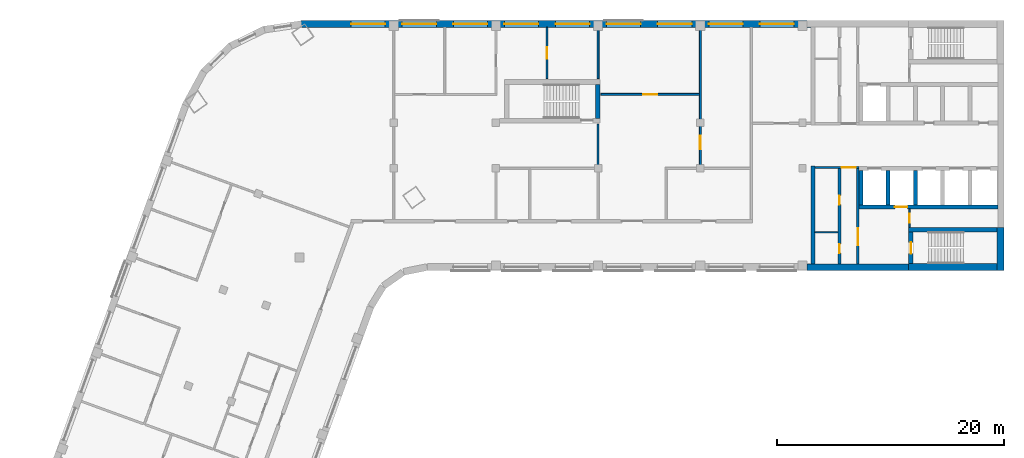
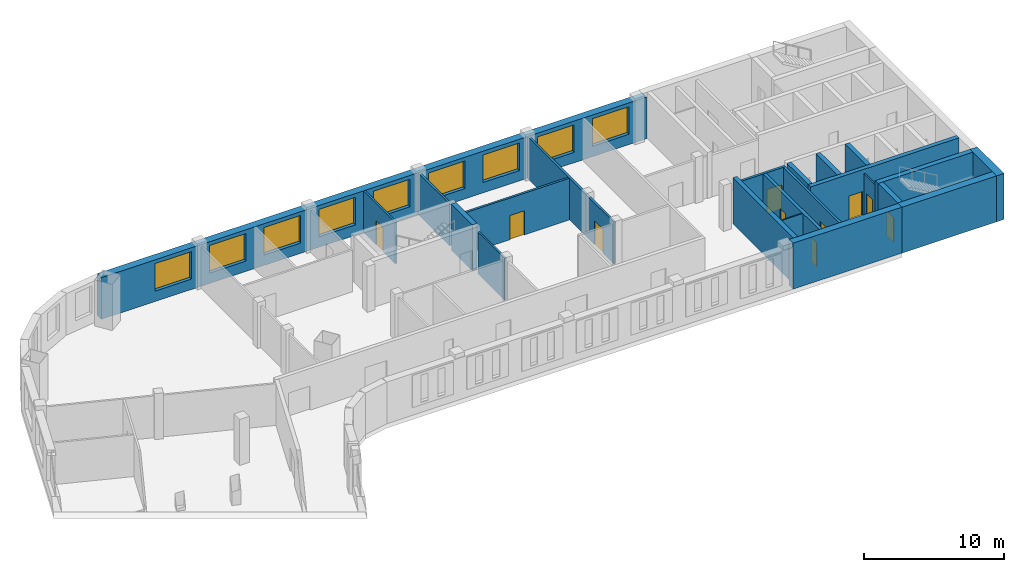
# One storey, part 5 of 8: 22 walls, 10 doors, 9 windows, 19 openings.
"""IFC4 building model written with IfcOpenShell, lengths in metres."""

from ifc_helpers import new_model, si_unit, direction, frame, frame_2d, origin, place, context, subcontext, project, spatial, rectangle, extrude, material, layer, layer_set, type_object, element, fill, save


model = new_model("IFC4")

# Units and contexts
model_context = context("Model", 3, precision=1e-05, world=origin(), true_north=direction((0.0, 1.0)))
body_context = subcontext(model_context, "Body", "Model", "MODEL_VIEW")
ifc_project = project(units=[si_unit("LENGTHUNIT", "METRE"), si_unit("AREAUNIT", "SQUARE_METRE"), si_unit("VOLUMEUNIT", "CUBIC_METRE"), si_unit("PLANEANGLEUNIT", "RADIAN"), si_unit("MASSUNIT", "GRAM", prefix="KILO")], contexts=[model_context])

# Site, building, storey
site_placement = place(None, origin())
site = spatial("IfcSite", under=ifc_project, at=site_placement, CompositionType="ELEMENT")
building_placement = place(site_placement, origin())
building = spatial("IfcBuilding", under=site, at=building_placement, Name="Skarvind Civic Tower", CompositionType="ELEMENT")
storey_placement = place(building_placement, frame((0.0, 0.0, 138.5)))
storey = spatial("IfcBuildingStorey", under=building, at=storey_placement, Name="L32", CompositionType="ELEMENT", Elevation=138.5)

# Wall
ifc_material_1 = material(Name="Acoustic gypsum board on steel studs", Category="steel")
ifc_layer_1 = layer(ifc_material_1, 0.175048828125)
ifc_layer_set_1 = layer_set([ifc_layer_1], Name="ACOUSTIC MEETING-ROOM PARTITION 175")
wall_type_1 = type_object("IfcWallType", Name="ACOUSTIC MEETING-ROOM PARTITION 175", PredefinedType="PARTITIONING", material=ifc_layer_set_1)
wall_1_placement = place(storey_placement, frame((72.25, 133.89990234375, 0.0), z_axis=(0.0, 0.0, 1.0), x_axis=(0.0, 1.0, 0.0)))
element("IfcWall", 1, at=wall_1_placement, inside=storey, type_object=wall_type_1, Name="Partition 32.034", PredefinedType="PARTITIONING", context=body_context, shape_type="SweptSolid", body=[
    extrude(rectangle(XDim=4.5, YDim=0.175048828125, at=frame_2d((2.25, 0.0))), origin(), (0.0, 0.0, 1.0), 3.625),
])

# Wall, opening, door
wall_2_placement = place(storey_placement, frame((81.25, 126.087890625, 0.0), z_axis=(0.0, 0.0, 1.0), x_axis=(0.0, 1.0, 0.0)))
wall_2 = element("IfcWall", 2, at=wall_2_placement, inside=storey, type_object=wall_type_1, Name="Partition 32.037", PredefinedType="PARTITIONING", context=body_context, shape_type="SweptSolid", body=[
    extrude(rectangle(XDim=12.31201171875, YDim=0.175048828125, at=frame_2d((6.156005859375, 0.0))), origin(), (0.0, 0.0, 1.0), 3.625),
])
opening_1_placement = place(wall_2_placement, frame((1.597412109375, 0.0, 0.0)))
opening_1 = element("IfcOpeningElement", 3, at=opening_1_placement, cuts=wall_2, Name="Opening L32-D022", PredefinedType="OPENING", context=body_context, shape_type="SweptSolid", body=[
    extrude(rectangle(XDim=1.199951171875, YDim=2.10009765625, at=frame_2d((0.60009765625, 1.050048828125))), frame((0.0, 0.097412109375, 0.0), z_axis=(0.0, -1.0, 0.0), x_axis=(1.0, 0.0, 0.0)), (0.0, 0.0, 1.0), 0.195068359375),
])
ifc_material_2 = material(Name="Timber door leaf", Category="wood")
door_type_1 = type_object("IfcDoorType", Name="DOOR 1200X2100 DOUBLE TIMBER", OperationType="NOTDEFINED", PredefinedType="DOOR", material=ifc_material_2)
door_1_placement = place(opening_1_placement, origin())
door_1 = element("IfcDoor", 4, at=door_1_placement, inside=storey, type_object=door_type_1, Name="Door L32-D022", OperationType="DOUBLE_DOOR_SINGLE_SWING", OverallHeight=2.10009765625, OverallWidth=1.199951171875, PredefinedType="DOOR", context=body_context, shape_type="SweptSolid", body=[
    extrude(rectangle(XDim=1.199951171875, YDim=2.10009765625, at=frame_2d((0.60009765625, 1.050048828125))), frame((0.0, 0.02490234375, 0.0), z_axis=(0.0, -1.0, 0.0), x_axis=(1.0, 0.0, 0.0)), (0.0, 0.0, 1.0), 0.050048828125),
])
fill(opening_1, door_1)

wall_3_placement = place(storey_placement, frame((81.162109375, 132.5, 0.0), z_axis=(0.0, 0.0, 1.0), x_axis=(-1.0, 0.0, 0.0)))
wall_3 = element("IfcWall", 5, at=wall_3_placement, inside=storey, type_object=wall_type_1, Name="Partition 32.038", PredefinedType="PARTITIONING", context=body_context, shape_type="SweptSolid", body=[
    extrude(rectangle(XDim=8.662109375, YDim=0.175048828125, at=frame_2d((4.3310546875, 0.0))), origin(), (0.0, 0.0, 1.0), 3.625),
])
opening_2_placement = place(wall_3_placement, frame((3.720947265625, 0.0, 0.0)))
opening_2 = element("IfcOpeningElement", 6, at=opening_2_placement, cuts=wall_3, Name="Opening L32-D003", PredefinedType="OPENING", context=body_context, shape_type="SweptSolid", body=[
    extrude(rectangle(XDim=1.199951171875, YDim=2.10009765625, at=frame_2d((0.60009765625, 1.050048828125))), frame((0.0, 0.097412109375, 0.0), z_axis=(0.0, -1.0, 0.0), x_axis=(1.0, 0.0, 0.0)), (0.0, 0.0, 1.0), 0.195068359375),
])
door_2_placement = place(opening_2_placement, origin())
door_2 = element("IfcDoor", 7, at=door_2_placement, inside=storey, type_object=door_type_1, Name="Door L32-D003", OperationType="DOUBLE_DOOR_SINGLE_SWING", OverallHeight=2.10009765625, OverallWidth=1.199951171875, PredefinedType="DOOR", context=body_context, shape_type="SweptSolid", body=[
    extrude(rectangle(XDim=1.199951171875, YDim=2.10009765625, at=frame_2d((0.60009765625, 1.050048828125))), frame((0.0, 0.02490234375, 0.0), z_axis=(0.0, -1.0, 0.0), x_axis=(1.0, 0.0, 0.0)), (0.0, 0.0, 1.0), 0.050048828125),
])
fill(opening_2, door_2)

ifc_material_3 = material(Name="Fire-rated masonry partition", Category="masonry")
ifc_layer_2 = layer(ifc_material_3, 0.199951171875)
ifc_layer_set_2 = layer_set([ifc_layer_2], Name="Core enclosure wall 200")
wall_type_2 = type_object("IfcWallType", Name="Core enclosure wall 200", PredefinedType="PARTITIONING", material=ifc_layer_set_2)
wall_4_placement = place(storey_placement, frame((95.22509765625, 126.074951171875, 0.0), z_axis=(0.0, 0.0, 1.0), x_axis=(-1.0, 0.0, 0.0)))
wall_4 = element("IfcWall", 8, at=wall_4_placement, inside=storey, type_object=wall_type_2, Name="Core wall C1", PredefinedType="PARTITIONING", context=body_context, shape_type="SweptSolid", body=[
    extrude(rectangle(XDim=3.875, YDim=0.199951171875, at=frame_2d((1.9375, 0.0))), origin(), (0.0, 0.0, 1.0), 3.625),
])
opening_3_placement = place(wall_4_placement, frame((0.300048828125, 0.0, 0.0)))
opening_3 = element("IfcOpeningElement", 9, at=opening_3_placement, cuts=wall_4, Name="Opening D-L32-C1-07", PredefinedType="OPENING", context=body_context, shape_type="SweptSolid", body=[
    extrude(rectangle(XDim=1.199951171875, YDim=2.10009765625, at=frame_2d((0.60009765625, 1.050048828125))), frame((0.0, 0.10986328125, 0.0), z_axis=(0.0, -1.0, 0.0), x_axis=(1.0, 0.0, 0.0)), (0.0, 0.0, 1.0), 0.219970703125),
])
ifc_material_4 = material(Name="Fire-rated steel door", Category="steel")
door_type_2 = type_object("IfcDoorType", Name="Core lobby door 1200", OperationType="NOTDEFINED", PredefinedType="DOOR", material=ifc_material_4)
door_3_placement = place(opening_3_placement, origin())
door_3 = element("IfcDoor", 10, at=door_3_placement, inside=storey, type_object=door_type_2, Name="Fire door", OperationType="DOUBLE_DOOR_SINGLE_SWING", OverallHeight=2.10009765625, OverallWidth=1.199951171875, PredefinedType="DOOR", context=body_context, shape_type="SweptSolid", body=[
    extrude(rectangle(XDim=1.199951171875, YDim=2.10009765625, at=frame_2d((0.60009765625, 1.050048828125))), frame((0.0, 0.02490234375, 0.0), z_axis=(0.0, -1.0, 0.0), x_axis=(1.0, 0.0, 0.0)), (0.0, 0.0, 1.0), 0.050048828125),
])
fill(opening_3, door_3)

wall_5_placement = place(storey_placement, frame((95.125, 117.550048828125, 0.0), z_axis=(0.0, 0.0, 1.0), x_axis=(0.0, 1.0, 0.0)))
wall_5 = element("IfcWall", 11, at=wall_5_placement, inside=storey, type_object=wall_type_2, Name="Core wall C1", PredefinedType="PARTITIONING", context=body_context, shape_type="SweptSolid", body=[
    extrude(rectangle(XDim=8.425048828125, YDim=0.199951171875, at=frame_2d((4.21240234375, 0.0))), origin(), (0.0, 0.0, 1.0), 3.625),
])
opening_4_placement = place(wall_5_placement, frame((1.6875, 0.0, 0.0)))
opening_4 = element("IfcOpeningElement", 12, at=opening_4_placement, cuts=wall_5, Name="Opening D-L32-C1-08", PredefinedType="OPENING", context=body_context, shape_type="SweptSolid", body=[
    extrude(rectangle(XDim=1.5, YDim=2.10009765625, at=frame_2d((0.75, 1.050048828125))), frame((0.0, 0.10986328125, 0.0), z_axis=(0.0, -1.0, 0.0), x_axis=(1.0, 0.0, 0.0)), (0.0, 0.0, 1.0), 0.219970703125),
])
door_type_3 = type_object("IfcDoorType", Name="Fire door 1500", OperationType="NOTDEFINED", PredefinedType="DOOR", material=ifc_material_4)
door_4_placement = place(opening_4_placement, origin())
door_4 = element("IfcDoor", 13, at=door_4_placement, inside=storey, type_object=door_type_3, Name="Fire door", OperationType="DOUBLE_DOOR_SINGLE_SWING", OverallHeight=2.10009765625, OverallWidth=1.5, PredefinedType="DOOR", context=body_context, shape_type="SweptSolid", body=[
    extrude(rectangle(XDim=1.5, YDim=2.10009765625, at=frame_2d((0.75, 1.050048828125))), frame((0.0, 0.02490234375, 0.0), z_axis=(0.0, -1.0, 0.0), x_axis=(1.0, 0.0, 0.0)), (0.0, 0.0, 1.0), 0.050048828125),
])
fill(opening_4, door_4)

# Wall
ifc_material_5 = material(Name="Fire-rated plasterboard partition")
ifc_layer_3 = layer(ifc_material_5, 0.10009765625)
ifc_layer_set_3 = layer_set([ifc_layer_3], Name="Core partition wall 100")
wall_type_3 = type_object("IfcWallType", Name="Core partition wall 100", PredefinedType="PARTITIONING", material=ifc_layer_set_3)
wall_6_placement = place(storey_placement, frame((93.375, 120.360107421875, 0.0), z_axis=(0.0, 0.0, 1.0), x_axis=(-1.0, 0.0, 0.0)))
element("IfcWall", 14, at=wall_6_placement, inside=storey, type_object=wall_type_3, Name="Core wall C1", PredefinedType="PARTITIONING", context=body_context, shape_type="SweptSolid", body=[
    extrude(rectangle(XDim=2.02490234375, YDim=0.10009765625, at=frame_2d((1.012451171875, 0.0))), origin(), (0.0, 0.0, 1.0), 3.625),
])

# Wall, opening, door
ifc_material_6 = material(Name="Concrete C60", Category="concrete")
ifc_layer_4 = layer(ifc_material_6, 0.35009765625)
ifc_layer_set_4 = layer_set([ifc_layer_4], Name="Core wall 350 C60")
wall_type_4 = type_object("IfcWallType", Name="Core wall 350 C60", PredefinedType="SHEAR", material=ifc_layer_set_4)
wall_7_placement = place(storey_placement, frame((107.449951171875, 122.60009765625, 0.0), z_axis=(0.0, 0.0, 1.0), x_axis=(-1.0, 0.0, 0.0)))
wall_7 = element("IfcWall", 15, at=wall_7_placement, inside=storey, type_object=wall_type_4, Name="Core wall C1 north lift row back L32", PredefinedType="SHEAR", context=body_context, shape_type="SweptSolid", body=[
    extrude(rectangle(XDim=12.224853515625, YDim=0.35009765625, at=frame_2d((6.1123046875, 0.0))), origin(), (0.0, 0.0, 1.0), 4.0),
])
opening_5_placement = place(wall_7_placement, frame((7.949951171875, 0.0, 0.0)))
opening_5 = element("IfcOpeningElement", 16, at=opening_5_placement, cuts=wall_7, Name="Opening LD34104", PredefinedType="OPENING", context=body_context, shape_type="SweptSolid", body=[
    extrude(rectangle(XDim=1.10009765625, YDim=2.10009765625, at=frame_2d((0.550048828125, 1.050048828125))), frame((0.0, 0.18505859375, 0.0), z_axis=(0.0, -1.0, 0.0), x_axis=(1.0, 0.0, 0.0)), (0.0, 0.0, 1.0), 0.3701171875),
])
ifc_material_7 = material(Name="Stainless steel landing door", Category="steel")
door_type_4 = type_object("IfcDoorType", Name="Lift landing door 1100", OperationType="DOUBLE_DOOR_SLIDING", PredefinedType="DOOR", material=ifc_material_7)
door_5_placement = place(opening_5_placement, origin())
door_5 = element("IfcDoor", 17, at=door_5_placement, inside=storey, type_object=door_type_4, Name="Lift landing door", OperationType="DOUBLE_DOOR_SLIDING", OverallHeight=2.10009765625, OverallWidth=1.10009765625, PredefinedType="DOOR", context=body_context, shape_type="SweptSolid", body=[
    extrude(rectangle(XDim=1.10009765625, YDim=2.10009765625, at=frame_2d((0.550048828125, 1.050048828125))), frame((0.0, 0.02490234375, 0.0), z_axis=(0.0, -1.0, 0.0), x_axis=(1.0, 0.0, 0.0)), (0.0, 0.0, 1.0), 0.050048828125),
])
fill(opening_5, door_5)

# Walls
for number, where, z_axis, x_axis, name in (
    (18, (100.199951171875, 125.824951171875, 0.0), (0.0, 0.0, 1.0), (0.0, -1.0, 0.0), "Core wall C1 north lift row division 3 L32"),
    (19, (97.800048828125, 125.824951171875, 0.0), (0.0, 0.0, 1.0), (0.0, -1.0, 0.0), "Core wall C1 north lift row division 4 L32"),
    (20, (95.39990234375, 125.824951171875, 0.0), (0.0, 0.0, 1.0), (0.0, -1.0, 0.0), "Core wall C1 north lift row division 5 L32"),
):
    element("IfcWall", number, at=place(storey_placement, frame(where, z_axis=z_axis, x_axis=x_axis)), inside=storey, type_object=wall_type_4, Name=name, PredefinedType="SHEAR", context=body_context, shape_type="SweptSolid", body=[
        extrude(rectangle(XDim=3.050048828125, YDim=0.35009765625, at=frame_2d((1.52490234375, 0.0))), origin(), (0.0, 0.0, 1.0), 4.0),
    ])
wall_8_placement = place(storey_placement, frame((91.175048828125, 126.199951171875, 0.0), z_axis=(0.0, 0.0, 1.0), x_axis=(0.0, -1.0, 0.0)))
element("IfcWall", 21, at=wall_8_placement, inside=storey, type_object=wall_type_4, Name="Core wall C1 north inner face L32", PredefinedType="SHEAR", context=body_context, shape_type="SweptSolid", body=[
    extrude(rectangle(XDim=8.64990234375, YDim=0.35009765625, at=frame_2d((4.324951171875, 0.0))), origin(), (0.0, 0.0, 1.0), 4.0),
])
ifc_layer_5 = layer(ifc_material_6, 0.39990234375)
ifc_layer_set_5 = layer_set([ifc_layer_5], Name="Core wall 400 C60")
wall_type_5 = type_object("IfcWallType", Name="Core wall 400 C60", PredefinedType="SHEAR", material=ifc_layer_set_5)
wall_9_placement = place(storey_placement, frame((107.39990234375, 120.60009765625, 0.0), z_axis=(0.0, 0.0, 1.0), x_axis=(-1.0, 0.0, 0.0)))
element("IfcWall", 22, at=wall_9_placement, inside=storey, type_object=wall_type_5, Name="Core wall C1 north stair inner L32", PredefinedType="SHEAR", context=body_context, shape_type="SweptSolid", body=[
    extrude(rectangle(XDim=7.7998046875, YDim=0.39990234375, at=frame_2d((3.89990234375, 0.0))), origin(), (0.0, 0.0, 1.0), 4.0),
])

# Wall, opening, door
wall_10_placement = place(storey_placement, frame((99.800048828125, 120.39990234375, 0.0), z_axis=(0.0, 0.0, 1.0), x_axis=(0.0, -1.0, 0.0)))
wall_10 = element("IfcWall", 23, at=wall_10_placement, inside=storey, type_object=wall_type_5, Name="Core wall C1 north stair end L32", PredefinedType="SHEAR", context=body_context, shape_type="SweptSolid", body=[
    extrude(rectangle(XDim=2.7998046875, YDim=0.39990234375, at=frame_2d((1.39990234375, 0.0))), origin(), (0.0, 0.0, 1.0), 4.0),
])
opening_6_placement = place(wall_10_placement, frame((0.925048828125, 0.0, 0.0)))
opening_6 = element("IfcOpeningElement", 24, at=opening_6_placement, cuts=wall_10, Name="Opening D-L32-C1-09", PredefinedType="OPENING", context=body_context, shape_type="SweptSolid", body=[
    extrude(rectangle(XDim=1.0, YDim=2.10009765625, at=frame_2d((0.5, 1.050048828125))), frame((0.0, 0.2099609375, 0.0), z_axis=(0.0, -1.0, 0.0), x_axis=(1.0, 0.0, 0.0)), (0.0, 0.0, 1.0), 0.419921875),
])
door_type_5 = type_object("IfcDoorType", Name="Fire door 1000", OperationType="NOTDEFINED", PredefinedType="DOOR", material=ifc_material_4)
door_6_placement = place(opening_6_placement, origin())
door_6 = element("IfcDoor", 25, at=door_6_placement, inside=storey, type_object=door_type_5, Name="Fire door", OperationType="SINGLE_SWING_LEFT", OverallHeight=2.10009765625, OverallWidth=1.0, PredefinedType="DOOR", context=body_context, shape_type="SweptSolid", body=[
    extrude(rectangle(XDim=1.0, YDim=2.10009765625, at=frame_2d((0.5, 1.050048828125))), frame((0.0, 0.02490234375, 0.0), z_axis=(0.0, -1.0, 0.0), x_axis=(1.0, 0.0, 0.0)), (0.0, 0.0, 1.0), 0.050048828125),
])
fill(opening_6, door_6)

# Walls
wall_11_placement = place(storey_placement, frame((72.199951171875, 130.39990234375, 0.0), z_axis=(0.0, 0.0, 1.0), x_axis=(0.0, 1.0, 0.0)))
element("IfcWall", 26, at=wall_11_placement, inside=storey, type_object=wall_type_5, Name="Core wall CM end L32", PredefinedType="SHEAR", context=body_context, shape_type="SweptSolid", body=[
    extrude(rectangle(XDim=3.0, YDim=0.39990234375, at=frame_2d((1.5, 0.0))), origin(), (0.0, 0.0, 1.0), 4.0),
])
ifc_layer_6 = layer(ifc_material_6, 0.550048828125)
ifc_layer_set_6 = layer_set([ifc_layer_6], Name="Core wall 550 C60")
wall_type_6 = type_object("IfcWallType", Name="Core wall 550 C60", PredefinedType="SHEAR", material=ifc_layer_set_6)
wall_12_placement = place(storey_placement, frame((99.60009765625, 117.27490234375, 0.0), z_axis=(0.0, 0.0, 1.0), x_axis=(-1.0, 0.0, 0.0)))
element("IfcWall", 27, at=wall_12_placement, inside=storey, type_object=wall_type_6, Name="Core wall C1 north side L32", PredefinedType="SHEAR", context=body_context, shape_type="SweptSolid", body=[
    extrude(rectangle(XDim=8.9501953125, YDim=0.550048828125, at=frame_2d((4.47509765625, 0.0))), origin(), (0.0, 0.0, 1.0), 4.0),
])
ifc_layer_7 = layer(ifc_material_6, 0.60009765625)
ifc_layer_set_7 = layer_set([ifc_layer_7], Name="Core wall 600 C60")
wall_type_7 = type_object("IfcWallType", Name="Core wall 600 C60", PredefinedType="SHEAR", material=ifc_layer_set_7)
wall_13_placement = place(storey_placement, frame((107.699951171875, 120.800048828125, 0.0), z_axis=(0.0, 0.0, 1.0), x_axis=(0.0, -1.0, 0.0)))
element("IfcWall", 28, at=wall_13_placement, inside=storey, type_object=wall_type_7, Name="Core wall C1 tip at the north stair L32", PredefinedType="SHEAR", context=body_context, shape_type="SweptSolid", body=[
    extrude(rectangle(XDim=3.800048828125, YDim=0.60009765625, at=frame_2d((1.89990234375, 0.0))), origin(), (0.0, 0.0, 1.0), 4.0),
])
wall_14_placement = place(storey_placement, frame((107.39990234375, 117.300048828125, 0.0), z_axis=(0.0, 0.0, 1.0), x_axis=(-1.0, 0.0, 0.0)))
element("IfcWall", 29, at=wall_14_placement, inside=storey, type_object=wall_type_7, Name="Core wall C1 north side at the stair L32", PredefinedType="SHEAR", context=body_context, shape_type="SweptSolid", body=[
    extrude(rectangle(XDim=7.7998046875, YDim=0.60009765625, at=frame_2d((3.89990234375, 0.0))), origin(), (0.0, 0.0, 1.0), 4.0),
])

# Wall, opening, door
ifc_material_8 = material(Name="Plasterboard partition on steel studs", Category="steel")
ifc_layer_8 = layer(ifc_material_8, 0.14990234375)
ifc_layer_set_8 = layer_set([ifc_layer_8], Name="PARTITION 150")
wall_type_8 = type_object("IfcWallType", Name="PARTITION 150", PredefinedType="PARTITIONING", material=ifc_layer_set_8)
wall_15_placement = place(storey_placement, frame((67.75, 133.89990234375, 0.0), z_axis=(0.0, 0.0, 1.0), x_axis=(0.0, 1.0, 0.0)))
wall_15 = element("IfcWall", 30, at=wall_15_placement, inside=storey, type_object=wall_type_8, Name="Partition 32.031", PredefinedType="PARTITIONING", context=body_context, shape_type="SweptSolid", body=[
    extrude(rectangle(XDim=4.5, YDim=0.14990234375, at=frame_2d((2.25, 0.0))), origin(), (0.0, 0.0, 1.0), 3.625),
])
opening_7_placement = place(wall_15_placement, frame((1.75, 0.0, 0.0)))
opening_7 = element("IfcOpeningElement", 31, at=opening_7_placement, cuts=wall_15, Name="Opening L32-D007", PredefinedType="OPENING", context=body_context, shape_type="SweptSolid", body=[
    extrude(rectangle(XDim=1.0, YDim=2.10009765625, at=frame_2d((0.5, 1.050048828125))), frame((0.0, 0.0849609375, 0.0), z_axis=(0.0, -1.0, 0.0), x_axis=(1.0, 0.0, 0.0)), (0.0, 0.0, 1.0), 0.169921875),
])
door_type_6 = type_object("IfcDoorType", Name="D1 1000x2100", OperationType="NOTDEFINED", PredefinedType="DOOR", material=ifc_material_2)
door_7_placement = place(opening_7_placement, origin())
door_7 = element("IfcDoor", 32, at=door_7_placement, inside=storey, type_object=door_type_6, Name="Door L32-D007", OperationType="SINGLE_SWING_LEFT", OverallHeight=2.10009765625, OverallWidth=1.0, PredefinedType="DOOR", context=body_context, shape_type="SweptSolid", body=[
    extrude(rectangle(XDim=1.0, YDim=2.10009765625, at=frame_2d((0.5, 1.050048828125))), frame((0.0, 0.02490234375, 0.0), z_axis=(0.0, -1.0, 0.0), x_axis=(1.0, 0.0, 0.0)), (0.0, 0.0, 1.0), 0.050048828125),
])
fill(opening_7, door_7)

# Wall
wall_16_placement = place(storey_placement, frame((72.25, 126.083984375, 0.0), z_axis=(0.0, 0.0, 1.0), x_axis=(0.0, 1.0, 0.0)))
element("IfcWall", 33, at=wall_16_placement, inside=storey, type_object=wall_type_8, Name="Partition 32.033", PredefinedType="PARTITIONING", context=body_context, shape_type="SweptSolid", body=[
    extrude(rectangle(XDim=3.81591796875, YDim=0.14990234375, at=frame_2d((1.907958984375, 0.0))), origin(), (0.0, 0.0, 1.0), 3.625),
])

# Wall, opening, door
ifc_layer_9 = layer(ifc_material_3, 0.125)
ifc_layer_set_9 = layer_set([ifc_layer_9], Name="Riser wall 125")
wall_type_9 = type_object("IfcWallType", Name="Riser wall 125", PredefinedType="PARTITIONING", material=ifc_layer_set_9)
wall_17_placement = place(storey_placement, frame((99.66259765625, 120.800048828125, 0.0), z_axis=(0.0, 0.0, 1.0), x_axis=(0.0, 1.0, 0.0)))
wall_17 = element("IfcWall", 34, at=wall_17_placement, inside=storey, type_object=wall_type_9, Name="Core wall C1", PredefinedType="PARTITIONING", context=body_context, shape_type="SweptSolid", body=[
    extrude(rectangle(XDim=1.625, YDim=0.125, at=frame_2d((0.8125, 0.0))), origin(), (0.0, 0.0, 1.0), 3.625),
])
opening_8_placement = place(wall_17_placement, frame((0.41259765625, 0.0, 0.0)))
opening_8 = element("IfcOpeningElement", 35, at=opening_8_placement, cuts=wall_17, Name="Opening D-L32-C1-10", PredefinedType="OPENING", context=body_context, shape_type="SweptSolid", body=[
    extrude(rectangle(XDim=0.800048828125, YDim=2.10009765625, at=frame_2d((0.39990234375, 1.050048828125))), frame((0.0, 0.072509765625, 0.0), z_axis=(0.0, -1.0, 0.0), x_axis=(1.0, 0.0, 0.0)), (0.0, 0.0, 1.0), 0.14501953125),
])
door_type_7 = type_object("IfcDoorType", Name="Core riser door 800", OperationType="NOTDEFINED", PredefinedType="DOOR", material=ifc_material_4)
door_8_placement = place(opening_8_placement, origin())
door_8 = element("IfcDoor", 36, at=door_8_placement, inside=storey, type_object=door_type_7, Name="Riser door", OperationType="SINGLE_SWING_RIGHT", OverallHeight=2.10009765625, OverallWidth=0.800048828125, PredefinedType="DOOR", context=body_context, shape_type="SweptSolid", body=[
    extrude(rectangle(XDim=0.800048828125, YDim=2.10009765625, at=frame_2d((0.39990234375, 1.050048828125))), frame((0.0, 0.02490234375, 0.0), z_axis=(0.0, -1.0, 0.0), x_axis=(1.0, 0.0, 0.0)), (0.0, 0.0, 1.0), 0.050048828125),
])
fill(opening_8, door_8)

# Wall, openings, doors
ifc_layer_10 = layer(ifc_material_3, 0.25)
ifc_layer_set_10 = layer_set([ifc_layer_10], Name="Service block wall 250")
wall_type_10 = type_object("IfcWallType", Name="Service block wall 250", PredefinedType="PARTITIONING", material=ifc_layer_set_10)
wall_18_placement = place(storey_placement, frame((93.5, 117.550048828125, 0.0), z_axis=(0.0, 0.0, 1.0), x_axis=(0.0, 1.0, 0.0)))
wall_18 = element("IfcWall", 37, at=wall_18_placement, inside=storey, type_object=wall_type_10, Name="Core wall C1", PredefinedType="PARTITIONING", context=body_context, shape_type="SweptSolid", body=[
    extrude(rectangle(XDim=8.425048828125, YDim=0.25, at=frame_2d((4.21240234375, 0.0))), origin(), (0.0, 0.0, 1.0), 3.625),
])
opening_9_placement = place(wall_18_placement, frame((5.242431640625, 0.0, 0.0)))
opening_9 = element("IfcOpeningElement", 38, at=opening_9_placement, cuts=wall_18, Name="Opening D-L32-C1-11", PredefinedType="OPENING", context=body_context, shape_type="SweptSolid", body=[
    extrude(rectangle(XDim=0.800048828125, YDim=2.10009765625, at=frame_2d((0.39990234375, 1.050048828125))), frame((0.0, 0.135009765625, 0.0), z_axis=(0.0, -1.0, 0.0), x_axis=(1.0, 0.0, 0.0)), (0.0, 0.0, 1.0), 0.27001953125),
])
opening_10_placement = place(wall_18_placement, frame((0.97998046875, 0.0, 0.0)))
opening_10 = element("IfcOpeningElement", 39, at=opening_10_placement, cuts=wall_18, Name="Opening D-L32-C1-12", PredefinedType="OPENING", context=body_context, shape_type="SweptSolid", body=[
    extrude(rectangle(XDim=0.800048828125, YDim=2.10009765625, at=frame_2d((0.39990234375, 1.050048828125))), frame((0.0, 0.135009765625, 0.0), z_axis=(0.0, -1.0, 0.0), x_axis=(1.0, 0.0, 0.0)), (0.0, 0.0, 1.0), 0.27001953125),
])
door_9_placement = place(opening_9_placement, origin())
door_9 = element("IfcDoor", 40, at=door_9_placement, inside=storey, type_object=door_type_7, Name="Riser door", OperationType="SINGLE_SWING_LEFT", OverallHeight=2.10009765625, OverallWidth=0.800048828125, PredefinedType="DOOR", context=body_context, shape_type="SweptSolid", body=[
    extrude(rectangle(XDim=0.800048828125, YDim=2.10009765625, at=frame_2d((0.39990234375, 1.050048828125))), frame((0.0, 0.02490234375, 0.0), z_axis=(0.0, -1.0, 0.0), x_axis=(1.0, 0.0, 0.0)), (0.0, 0.0, 1.0), 0.050048828125),
])
fill(opening_9, door_9)
door_10_placement = place(opening_10_placement, origin())
door_10 = element("IfcDoor", 41, at=door_10_placement, inside=storey, type_object=door_type_7, Name="Riser door", OperationType="SINGLE_SWING_RIGHT", OverallHeight=2.10009765625, OverallWidth=0.800048828125, PredefinedType="DOOR", context=body_context, shape_type="SweptSolid", body=[
    extrude(rectangle(XDim=0.800048828125, YDim=2.10009765625, at=frame_2d((0.39990234375, 1.050048828125))), frame((0.0, 0.02490234375, 0.0), z_axis=(0.0, -1.0, 0.0), x_axis=(1.0, 0.0, 0.0)), (0.0, 0.0, 1.0), 0.050048828125),
])
fill(opening_10, door_10)

# Wall, openings, windows
ifc_material_9 = material(Name="Limestone masonry cladding on insulated backing", Category="masonry")
ifc_layer_11 = layer(ifc_material_9, 0.60009765625)
ifc_layer_set_11 = layer_set([ifc_layer_11], Name="WX1 STONE FACADE WALL 600")
wall_type_11 = type_object("IfcWallType", Name="WX1 STONE FACADE WALL 600", PredefinedType="SOLIDWALL", material=ifc_layer_set_11)
wall_19_placement = place(storey_placement, frame((46.095458984375, 138.699951171875, 0.0), z_axis=(0.0, 0.0, 1.0), x_axis=(1.0, 0.0, 0.0)))
wall_19 = element("IfcWall", 42, at=wall_19_placement, inside=storey, type_object=wall_type_11, Name="STONE FACADE WALL", PredefinedType="SOLIDWALL", context=body_context, shape_type="SweptSolid", body=[
    extrude(rectangle(XDim=44.884521484375, YDim=0.60009765625, at=frame_2d((22.4423828125, 0.0))), origin(), (0.0, 0.0, 1.0), 3.625),
])
opening_11_placement = place(wall_19_placement, frame((4.404541015625, 0.0, 0.89990234375)))
opening_11 = element("IfcOpeningElement", 43, at=opening_11_placement, cuts=wall_19, Name="Opening WN1", PredefinedType="OPENING", context=body_context, shape_type="SweptSolid", body=[
    extrude(rectangle(XDim=3.0, YDim=2.39990234375, at=frame_2d((1.5, 1.199951171875))), frame((0.0, 0.31005859375, 0.0), z_axis=(0.0, -1.0, 0.0), x_axis=(1.0, 0.0, 0.0)), (0.0, 0.0, 1.0), 0.6201171875),
])
opening_12_placement = place(wall_19_placement, frame((8.904541015625, 0.0, 0.89990234375)))
opening_12 = element("IfcOpeningElement", 44, at=opening_12_placement, cuts=wall_19, Name="Opening WN1", PredefinedType="OPENING", context=body_context, shape_type="SweptSolid", body=[
    extrude(rectangle(XDim=3.0, YDim=2.39990234375, at=frame_2d((1.5, 1.199951171875))), frame((0.0, 0.31005859375, 0.0), z_axis=(0.0, -1.0, 0.0), x_axis=(1.0, 0.0, 0.0)), (0.0, 0.0, 1.0), 0.6201171875),
])
opening_13_placement = place(wall_19_placement, frame((13.404541015625, 0.0, 0.89990234375)))
opening_13 = element("IfcOpeningElement", 45, at=opening_13_placement, cuts=wall_19, Name="Opening WN1", PredefinedType="OPENING", context=body_context, shape_type="SweptSolid", body=[
    extrude(rectangle(XDim=3.0, YDim=2.39990234375, at=frame_2d((1.5, 1.199951171875))), frame((0.0, 0.31005859375, 0.0), z_axis=(0.0, -1.0, 0.0), x_axis=(1.0, 0.0, 0.0)), (0.0, 0.0, 1.0), 0.6201171875),
])
opening_14_placement = place(wall_19_placement, frame((17.904541015625, 0.0, 0.89990234375)))
opening_14 = element("IfcOpeningElement", 46, at=opening_14_placement, cuts=wall_19, Name="Opening WN1", PredefinedType="OPENING", context=body_context, shape_type="SweptSolid", body=[
    extrude(rectangle(XDim=3.0, YDim=2.39990234375, at=frame_2d((1.5, 1.199951171875))), frame((0.0, 0.31005859375, 0.0), z_axis=(0.0, -1.0, 0.0), x_axis=(1.0, 0.0, 0.0)), (0.0, 0.0, 1.0), 0.6201171875),
])
opening_15_placement = place(wall_19_placement, frame((22.404541015625, 0.0, 0.89990234375)))
opening_15 = element("IfcOpeningElement", 47, at=opening_15_placement, cuts=wall_19, Name="Opening WN1", PredefinedType="OPENING", context=body_context, shape_type="SweptSolid", body=[
    extrude(rectangle(XDim=3.0, YDim=2.39990234375, at=frame_2d((1.5, 1.199951171875))), frame((0.0, 0.31005859375, 0.0), z_axis=(0.0, -1.0, 0.0), x_axis=(1.0, 0.0, 0.0)), (0.0, 0.0, 1.0), 0.6201171875),
])
opening_16_placement = place(wall_19_placement, frame((26.904541015625, 0.0, 0.89990234375)))
opening_16 = element("IfcOpeningElement", 48, at=opening_16_placement, cuts=wall_19, Name="Opening WN1", PredefinedType="OPENING", context=body_context, shape_type="SweptSolid", body=[
    extrude(rectangle(XDim=3.0, YDim=2.39990234375, at=frame_2d((1.5, 1.199951171875))), frame((0.0, 0.31005859375, 0.0), z_axis=(0.0, -1.0, 0.0), x_axis=(1.0, 0.0, 0.0)), (0.0, 0.0, 1.0), 0.6201171875),
])
opening_17_placement = place(wall_19_placement, frame((31.404541015625, 0.0, 0.89990234375)))
opening_17 = element("IfcOpeningElement", 49, at=opening_17_placement, cuts=wall_19, Name="Opening WN1", PredefinedType="OPENING", context=body_context, shape_type="SweptSolid", body=[
    extrude(rectangle(XDim=3.0, YDim=2.39990234375, at=frame_2d((1.5, 1.199951171875))), frame((0.0, 0.31005859375, 0.0), z_axis=(0.0, -1.0, 0.0), x_axis=(1.0, 0.0, 0.0)), (0.0, 0.0, 1.0), 0.6201171875),
])
opening_18_placement = place(wall_19_placement, frame((35.904541015625, 0.0, 0.89990234375)))
opening_18 = element("IfcOpeningElement", 50, at=opening_18_placement, cuts=wall_19, Name="Opening WN1", PredefinedType="OPENING", context=body_context, shape_type="SweptSolid", body=[
    extrude(rectangle(XDim=3.0, YDim=2.39990234375, at=frame_2d((1.5, 1.199951171875))), frame((0.0, 0.31005859375, 0.0), z_axis=(0.0, -1.0, 0.0), x_axis=(1.0, 0.0, 0.0)), (0.0, 0.0, 1.0), 0.6201171875),
])
opening_19_placement = place(wall_19_placement, frame((40.404541015625, 0.0, 0.89990234375)))
opening_19 = element("IfcOpeningElement", 51, at=opening_19_placement, cuts=wall_19, Name="Opening WN1", PredefinedType="OPENING", context=body_context, shape_type="SweptSolid", body=[
    extrude(rectangle(XDim=3.0, YDim=2.39990234375, at=frame_2d((1.5, 1.199951171875))), frame((0.0, 0.31005859375, 0.0), z_axis=(0.0, -1.0, 0.0), x_axis=(1.0, 0.0, 0.0)), (0.0, 0.0, 1.0), 0.6201171875),
])
ifc_material_10 = material(Name="Timber frame, double glazing, timber-lined reveal", Category="wood")
window_type = type_object("IfcWindowType", Name="WN1 PUNCHED STONE WINDOW 3000 x 2400", PartitioningType="SINGLE_PANEL", PredefinedType="WINDOW", material=ifc_material_10)
window_1_placement = place(opening_11_placement, origin())
window_1 = element("IfcWindow", 52, at=window_1_placement, inside=storey, type_object=window_type, Name="WN1 WINDOW", OverallHeight=2.39990234375, OverallWidth=3.0, PartitioningType="SINGLE_PANEL", PredefinedType="WINDOW", context=body_context, shape_type="SweptSolid", body=[
    extrude(rectangle(XDim=3.0, YDim=2.39990234375, at=frame_2d((1.5, 1.199951171875))), frame((0.0, 0.030029296875, 0.0), z_axis=(0.0, -1.0, 0.0), x_axis=(1.0, 0.0, 0.0)), (0.0, 0.0, 1.0), 0.06005859375),
])
fill(opening_11, window_1)
window_2_placement = place(opening_12_placement, origin())
window_2 = element("IfcWindow", 53, at=window_2_placement, inside=storey, type_object=window_type, Name="WN1 WINDOW", OverallHeight=2.39990234375, OverallWidth=3.0, PartitioningType="SINGLE_PANEL", PredefinedType="WINDOW", context=body_context, shape_type="SweptSolid", body=[
    extrude(rectangle(XDim=3.0, YDim=2.39990234375, at=frame_2d((1.5, 1.199951171875))), frame((0.0, 0.030029296875, 0.0), z_axis=(0.0, -1.0, 0.0), x_axis=(1.0, 0.0, 0.0)), (0.0, 0.0, 1.0), 0.06005859375),
])
fill(opening_12, window_2)
window_3_placement = place(opening_13_placement, origin())
window_3 = element("IfcWindow", 54, at=window_3_placement, inside=storey, type_object=window_type, Name="WN1 WINDOW", OverallHeight=2.39990234375, OverallWidth=3.0, PartitioningType="SINGLE_PANEL", PredefinedType="WINDOW", context=body_context, shape_type="SweptSolid", body=[
    extrude(rectangle(XDim=3.0, YDim=2.39990234375, at=frame_2d((1.5, 1.199951171875))), frame((0.0, 0.030029296875, 0.0), z_axis=(0.0, -1.0, 0.0), x_axis=(1.0, 0.0, 0.0)), (0.0, 0.0, 1.0), 0.06005859375),
])
fill(opening_13, window_3)
window_4_placement = place(opening_14_placement, origin())
window_4 = element("IfcWindow", 55, at=window_4_placement, inside=storey, type_object=window_type, Name="WN1 WINDOW", OverallHeight=2.39990234375, OverallWidth=3.0, PartitioningType="SINGLE_PANEL", PredefinedType="WINDOW", context=body_context, shape_type="SweptSolid", body=[
    extrude(rectangle(XDim=3.0, YDim=2.39990234375, at=frame_2d((1.5, 1.199951171875))), frame((0.0, 0.030029296875, 0.0), z_axis=(0.0, -1.0, 0.0), x_axis=(1.0, 0.0, 0.0)), (0.0, 0.0, 1.0), 0.06005859375),
])
fill(opening_14, window_4)
window_5_placement = place(opening_15_placement, origin())
window_5 = element("IfcWindow", 56, at=window_5_placement, inside=storey, type_object=window_type, Name="WN1 WINDOW", OverallHeight=2.39990234375, OverallWidth=3.0, PartitioningType="SINGLE_PANEL", PredefinedType="WINDOW", context=body_context, shape_type="SweptSolid", body=[
    extrude(rectangle(XDim=3.0, YDim=2.39990234375, at=frame_2d((1.5, 1.199951171875))), frame((0.0, 0.030029296875, 0.0), z_axis=(0.0, -1.0, 0.0), x_axis=(1.0, 0.0, 0.0)), (0.0, 0.0, 1.0), 0.06005859375),
])
fill(opening_15, window_5)
window_6_placement = place(opening_16_placement, origin())
window_6 = element("IfcWindow", 57, at=window_6_placement, inside=storey, type_object=window_type, Name="WN1 WINDOW", OverallHeight=2.39990234375, OverallWidth=3.0, PartitioningType="SINGLE_PANEL", PredefinedType="WINDOW", context=body_context, shape_type="SweptSolid", body=[
    extrude(rectangle(XDim=3.0, YDim=2.39990234375, at=frame_2d((1.5, 1.199951171875))), frame((0.0, 0.030029296875, 0.0), z_axis=(0.0, -1.0, 0.0), x_axis=(1.0, 0.0, 0.0)), (0.0, 0.0, 1.0), 0.06005859375),
])
fill(opening_16, window_6)
window_7_placement = place(opening_17_placement, origin())
window_7 = element("IfcWindow", 58, at=window_7_placement, inside=storey, type_object=window_type, Name="WN1 WINDOW", OverallHeight=2.39990234375, OverallWidth=3.0, PartitioningType="SINGLE_PANEL", PredefinedType="WINDOW", context=body_context, shape_type="SweptSolid", body=[
    extrude(rectangle(XDim=3.0, YDim=2.39990234375, at=frame_2d((1.5, 1.199951171875))), frame((0.0, 0.030029296875, 0.0), z_axis=(0.0, -1.0, 0.0), x_axis=(1.0, 0.0, 0.0)), (0.0, 0.0, 1.0), 0.06005859375),
])
fill(opening_17, window_7)
window_8_placement = place(opening_18_placement, origin())
window_8 = element("IfcWindow", 59, at=window_8_placement, inside=storey, type_object=window_type, Name="WN1 WINDOW", OverallHeight=2.39990234375, OverallWidth=3.0, PartitioningType="SINGLE_PANEL", PredefinedType="WINDOW", context=body_context, shape_type="SweptSolid", body=[
    extrude(rectangle(XDim=3.0, YDim=2.39990234375, at=frame_2d((1.5, 1.199951171875))), frame((0.0, 0.030029296875, 0.0), z_axis=(0.0, -1.0, 0.0), x_axis=(1.0, 0.0, 0.0)), (0.0, 0.0, 1.0), 0.06005859375),
])
fill(opening_18, window_8)
window_9_placement = place(opening_19_placement, origin())
window_9 = element("IfcWindow", 60, at=window_9_placement, inside=storey, type_object=window_type, Name="WN1 WINDOW", OverallHeight=2.39990234375, OverallWidth=3.0, PartitioningType="SINGLE_PANEL", PredefinedType="WINDOW", context=body_context, shape_type="SweptSolid", body=[
    extrude(rectangle(XDim=3.0, YDim=2.39990234375, at=frame_2d((1.5, 1.199951171875))), frame((0.0, 0.030029296875, 0.0), z_axis=(0.0, -1.0, 0.0), x_axis=(1.0, 0.0, 0.0)), (0.0, 0.0, 1.0), 0.06005859375),
])
fill(opening_19, window_9)

save(model, "model.ifc")
